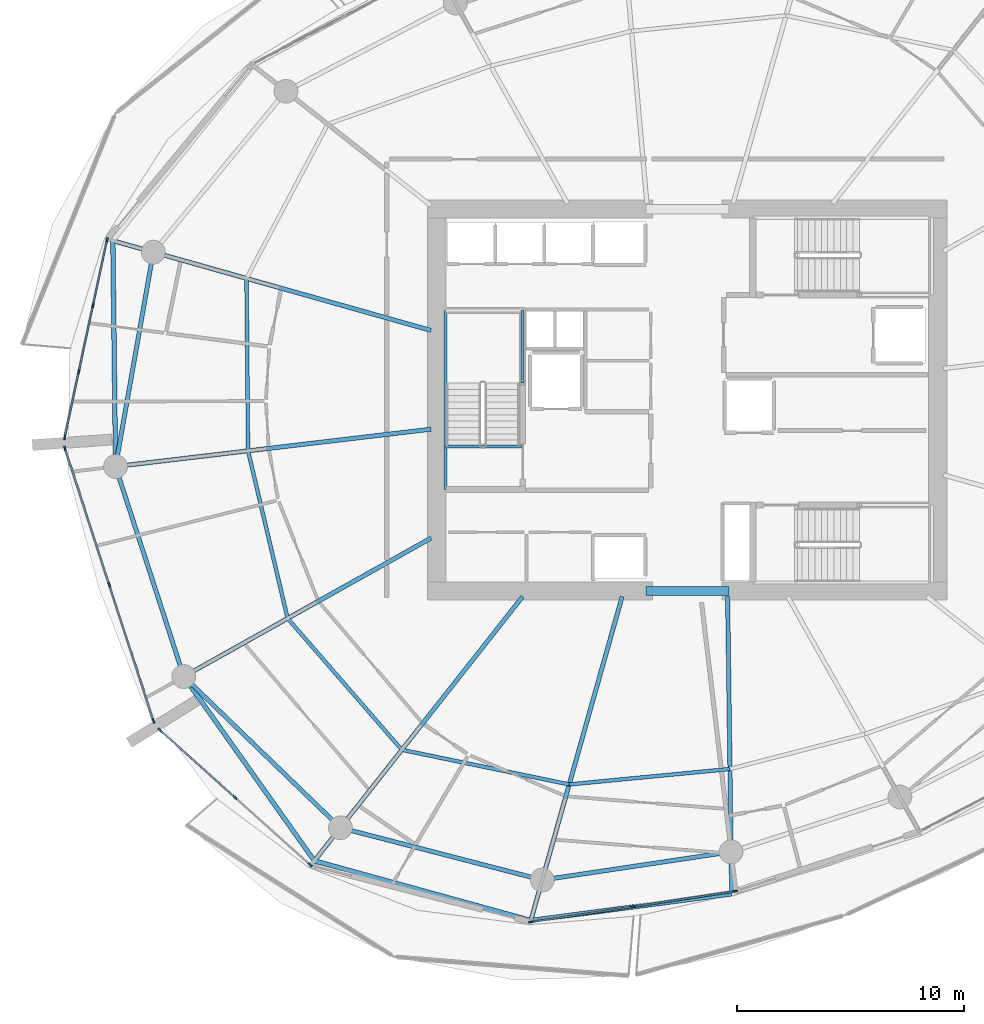
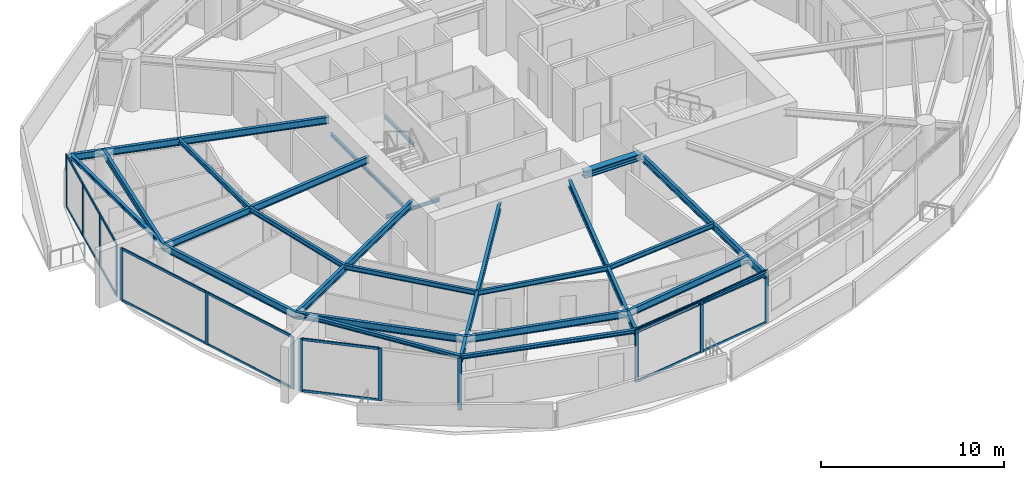
# One storey, part 5 of 20: 29 members, 24 beams, 4 elements without a shape of their own.
"""IFC4 building model written with IfcOpenShell, lengths in metres."""

from ifc_helpers import new_model, si_unit, direction, frame, origin, origin_2d, place, context, subcontext, project, spatial, rectangle, i_section, extrude, material, layer, layer_set, material_profile, profile_set, type_object, element, aggregate, save


model = new_model("IFC4")

# Units and contexts
model_context = context("Model", 3, precision=1e-05, world=origin(), true_north=direction((0.0, 1.0)))
body_context = subcontext(model_context, "Body", "Model", "MODEL_VIEW")
ifc_project = project(units=[si_unit("LENGTHUNIT", "METRE"), si_unit("AREAUNIT", "SQUARE_METRE"), si_unit("VOLUMEUNIT", "CUBIC_METRE"), si_unit("PLANEANGLEUNIT", "RADIAN"), si_unit("MASSUNIT", "GRAM", prefix="KILO")], contexts=[model_context])

# Site, building, storey
site_placement = place(None, origin())
site = spatial("IfcSite", under=ifc_project, at=site_placement, CompositionType="ELEMENT")
building_placement = place(site_placement, origin())
building = spatial("IfcBuilding", under=site, at=building_placement, Name="Kazma Halo Residences", CompositionType="ELEMENT")
storey_placement = place(building_placement, frame((0.0, 0.0, 142.800048828125)))
storey = spatial("IfcBuildingStorey", under=building, at=storey_placement, Name="L35", CompositionType="ELEMENT", Elevation=142.800048828125)

# Beams
ifc_material_1 = material(Name="Steel S355", Category="steel")
ifc_material_profile_1 = material_profile(ifc_material_1, i_section(OverallWidth=0.201904296875, OverallDepth=0.2470703125, WebThickness=0.00732421875, FlangeThickness=0.010986328125, FilletRadius=0.011962890625, at=origin_2d()), Name="W250x49.1")
ifc_profile_set_1 = profile_set([ifc_material_profile_1], Name="Steel S355")
beam_type_1 = type_object("IfcBeamType", Name="BM-BAL-CANT", PredefinedType="BEAM", material=ifc_profile_set_1)
beam_1_placement = place(storey_placement, frame((23.149658203125, 49.008544921875, 3.37646484375), z_axis=(0.011793371143, -0.99993045578, 0.0), x_axis=(0.99993045578, 0.011793371143, 0.0)))
element("IfcBeam", 1, at=beam_1_placement, inside=storey, type_object=beam_type_1, Name="L35 wave-balcony tie beam 07", PredefinedType="BEAM", context=body_context, shape_type="SweptSolid", body=[
    extrude(i_section(OverallWidth=0.201904296875, OverallDepth=0.2470703125, WebThickness=0.00732421875, FlangeThickness=0.010986328125, FilletRadius=0.011962890625, at=origin_2d()), origin(), (0.0, 0.0, 1.0), 9.936767578125),
])
beam_2_placement = place(storey_placement, frame((26.269775390625, 29.83056640625, 3.37646484375), z_axis=(0.578203432081, -0.81589263456, 0.0), x_axis=(0.81589263456, 0.578203432081, 0.0)))
element("IfcBeam", 2, at=beam_2_placement, inside=storey, type_object=beam_type_1, Name="L35 wave-balcony lead tie beam 09", PredefinedType="BEAM", context=body_context, shape_type="SweptSolid", body=[
    extrude(i_section(OverallWidth=0.201904296875, OverallDepth=0.2470703125, WebThickness=0.00732421875, FlangeThickness=0.010986328125, FilletRadius=0.011962890625, at=origin_2d()), origin(), (0.0, 0.0, 1.0), 9.9365234375),
])
beam_3_placement = place(storey_placement, frame((32.01513671875, 21.723388671875, 3.37646484375), z_axis=(0.964045237638, -0.265738179019, 0.0), x_axis=(0.265738179019, 0.964045237638, 0.0)))
element("IfcBeam", 3, at=beam_3_placement, inside=storey, type_object=beam_type_1, Name="L35 wave-balcony tie beam 10", PredefinedType="BEAM", context=body_context, shape_type="SweptSolid", body=[
    extrude(i_section(OverallWidth=0.201904296875, OverallDepth=0.2470703125, WebThickness=0.00732421875, FlangeThickness=0.010986328125, FilletRadius=0.011962890625, at=origin_2d()), origin(), (0.0, 0.0, 1.0), 9.880859375),
])
beam_4_placement = place(storey_placement, frame((41.540771484375, 19.09765625, 3.37646484375), z_axis=(0.991326402839, 0.13142284061, 0.0), x_axis=(-0.13142284061, 0.991326402839, 0.0)))
element("IfcBeam", 4, at=beam_4_placement, inside=storey, type_object=beam_type_1, Name="L35 wave-balcony tie beam 11", PredefinedType="BEAM", context=body_context, shape_type="SweptSolid", body=[
    extrude(i_section(OverallWidth=0.201904296875, OverallDepth=0.2470703125, WebThickness=0.00732421875, FlangeThickness=0.010986328125, FilletRadius=0.011962890625, at=origin_2d()), origin(), (0.0, 0.0, 1.0), 8.9150390625),
])
ifc_material_profile_2 = material_profile(ifc_material_1, i_section(OverallWidth=0.408935546875, OverallDepth=0.425048828125, WebThickness=0.03271484375, FlangeThickness=0.052490234375, FilletRadius=0.02001953125, at=origin_2d()), Name="W360x421")
ifc_profile_set_2 = profile_set([ifc_material_profile_2], Name="Steel S355")
beam_type_2 = type_object("IfcBeamType", Name="BM-CORE-W360H", PredefinedType="BEAM", material=ifc_profile_set_2)
beam_5_placement = place(storey_placement, frame((46.60009765625, 33.60009765625, 3.287353515625), z_axis=(1.0, 0.0, 0.0), x_axis=(0.0, 1.0, 0.0)))
element("IfcBeam", 5, at=beam_5_placement, inside=storey, type_object=beam_type_2, Name="L35 core coupling beam S", PredefinedType="BEAM", context=body_context, shape_type="SweptSolid", body=[
    extrude(i_section(OverallWidth=0.408935546875, OverallDepth=0.425048828125, WebThickness=0.03271484375, FlangeThickness=0.052490234375, FilletRadius=0.02001953125, at=origin_2d()), origin(), (0.0, 0.0, 1.0), 3.64990234375),
])
ifc_material_profile_3 = material_profile(ifc_material_1, i_section(OverallWidth=0.18994140625, OverallDepth=0.45703125, WebThickness=0.009033203125, FlangeThickness=0.014404296875, FilletRadius=0.01611328125, at=origin_2d()), Name="W460x74")
ifc_profile_set_3 = profile_set([ifc_material_profile_3], Name="Steel S355")
beam_type_3 = type_object("IfcBeamType", Name="BM-RAD-W460", PredefinedType="BEAM", material=ifc_profile_set_3)
beam_6_placement = place(storey_placement, frame((37.14990234375, 45.06005859375, 3.271484375), z_axis=(-0.962455072712, 0.271441030447, 0.0), x_axis=(-0.271441030447, -0.962455072712, 0.0)))
element("IfcBeam", 6, at=beam_6_placement, inside=storey, type_object=beam_type_3, Name="L35 radial floor beam 07", PredefinedType="BEAM", context=body_context, shape_type="SweptSolid", body=[
    extrude(i_section(OverallWidth=0.18994140625, OverallDepth=0.45703125, WebThickness=0.009033203125, FlangeThickness=0.014404296875, FilletRadius=0.01611328125, at=origin_2d()), origin(), (0.0, 0.0, 1.0), 14.54638671875),
])
beam_7_placement = place(storey_placement, frame((37.14990234375, 40.7158203125, 3.271484375), z_axis=(-0.993067267044, -0.117547450531, 0.0), x_axis=(0.117547450531, -0.993067267044, 0.0)))
element("IfcBeam", 7, at=beam_7_placement, inside=storey, type_object=beam_type_3, Name="L35 radial floor beam 08", PredefinedType="BEAM", context=body_context, shape_type="SweptSolid", body=[
    extrude(i_section(OverallWidth=0.18994140625, OverallDepth=0.45703125, WebThickness=0.009033203125, FlangeThickness=0.014404296875, FilletRadius=0.01611328125, at=origin_2d()), origin(), (0.0, 0.0, 1.0), 13.97998046875),
])
beam_8_placement = place(storey_placement, frame((37.14990234375, 35.923583984375, 3.271484375), z_axis=(-0.87250100809, -0.488612311431, 0.0), x_axis=(0.488612311431, -0.87250100809, 0.0)))
element("IfcBeam", 8, at=beam_8_placement, inside=storey, type_object=beam_type_3, Name="L35 radial floor beam 09", PredefinedType="BEAM", context=body_context, shape_type="SweptSolid", body=[
    extrude(i_section(OverallWidth=0.18994140625, OverallDepth=0.45703125, WebThickness=0.009033203125, FlangeThickness=0.014404296875, FilletRadius=0.01611328125, at=origin_2d()), origin(), (0.0, 0.0, 1.0), 12.469970703125),
])
beam_9_placement = place(storey_placement, frame((41.180908203125, 33.35009765625, 3.271484375), z_axis=(-0.619094498239, -0.785316498139, 0.0), x_axis=(0.785316498139, -0.619094498239, 0.0)))
element("IfcBeam", 9, at=beam_9_placement, inside=storey, type_object=beam_type_3, Name="L35 radial floor beam 10", PredefinedType="BEAM", context=body_context, shape_type="SweptSolid", body=[
    extrude(i_section(OverallWidth=0.18994140625, OverallDepth=0.45703125, WebThickness=0.009033203125, FlangeThickness=0.014404296875, FilletRadius=0.01611328125, at=origin_2d()), origin(), (0.0, 0.0, 1.0), 14.80517578125),
])
beam_10_placement = place(storey_placement, frame((45.560302734375, 33.35009765625, 3.271484375), z_axis=(-0.271435886816, -0.962456523355, 0.0), x_axis=(0.962456523355, -0.271435886816, 0.0)))
element("IfcBeam", 10, at=beam_10_placement, inside=storey, type_object=beam_type_3, Name="L35 radial floor beam 11", PredefinedType="BEAM", context=body_context, shape_type="SweptSolid", body=[
    extrude(i_section(OverallWidth=0.18994140625, OverallDepth=0.45703125, WebThickness=0.009033203125, FlangeThickness=0.014404296875, FilletRadius=0.01611328125, at=origin_2d()), origin(), (0.0, 0.0, 1.0), 14.808349609375),
])
beam_11_placement = place(storey_placement, frame((50.199951171875, 33.35009765625, 3.271484375), z_axis=(0.013642135434, -0.99990694174, 0.0), x_axis=(0.99990694174, 0.013642135434, 0.0)))
element("IfcBeam", 11, at=beam_11_placement, inside=storey, type_object=beam_type_3, Name="L35 radial floor beam 12", PredefinedType="BEAM", context=body_context, shape_type="SweptSolid", body=[
    extrude(i_section(OverallWidth=0.18994140625, OverallDepth=0.45703125, WebThickness=0.009033203125, FlangeThickness=0.014404296875, FilletRadius=0.01611328125, at=origin_2d()), origin(), (0.0, 0.0, 1.0), 13.08203125),
])
ifc_material_profile_4 = material_profile(ifc_material_1, i_section(OverallWidth=0.1650390625, OverallDepth=0.31005859375, WebThickness=0.005859375, FlangeThickness=0.009765625, FilletRadius=0.011962890625, at=origin_2d()), Name="W310x38.7")
ifc_profile_set_4 = profile_set([ifc_material_profile_4], Name="Steel S355")
beam_type_4 = type_object("IfcBeamType", Name="BM-SEC-W310B", PredefinedType="JOIST", material=ifc_profile_set_4)
beam_12_placement = place(storey_placement, frame((29.02978515625, 47.35009765625, 3.344970703125), z_axis=(0.008944876706, -0.99995999379, 0.0), x_axis=(0.99995999379, 0.008944876706, 0.0)))
element("IfcBeam", 12, at=beam_12_placement, inside=storey, type_object=beam_type_4, Name="L35 circumferential floor joist 07", PredefinedType="JOIST", context=body_context, shape_type="SweptSolid", body=[
    extrude(i_section(OverallWidth=0.1650390625, OverallDepth=0.31005859375, WebThickness=0.005859375, FlangeThickness=0.009765625, FilletRadius=0.011962890625, at=origin_2d()), origin(), (0.0, 0.0, 1.0), 7.587646484375),
])
beam_13_placement = place(storey_placement, frame((29.09765625, 39.7626953125, 3.344970703125), z_axis=(0.229897820601, -0.973214771817, 0.0), x_axis=(0.973214771817, 0.229897820601, 0.0)))
element("IfcBeam", 13, at=beam_13_placement, inside=storey, type_object=beam_type_4, Name="L35 circumferential floor joist 08", PredefinedType="JOIST", context=body_context, shape_type="SweptSolid", body=[
    extrude(i_section(OverallWidth=0.1650390625, OverallDepth=0.31005859375, WebThickness=0.005859375, FlangeThickness=0.009765625, FilletRadius=0.011962890625, at=origin_2d()), origin(), (0.0, 0.0, 1.0), 7.575927734375),
])
beam_14_placement = place(storey_placement, frame((30.83935546875, 32.3896484375, 3.344970703125), z_axis=(0.655935687589, -0.754816781575, 0.0), x_axis=(0.754816781575, 0.655935687589, 0.0)))
element("IfcBeam", 14, at=beam_14_placement, inside=storey, type_object=beam_type_4, Name="L35 circumferential floor joist 09", PredefinedType="JOIST", context=body_context, shape_type="SweptSolid", body=[
    extrude(i_section(OverallWidth=0.1650390625, OverallDepth=0.31005859375, WebThickness=0.005859375, FlangeThickness=0.009765625, FilletRadius=0.011962890625, at=origin_2d()), origin(), (0.0, 0.0, 1.0), 7.661376953125),
])
beam_15_placement = place(storey_placement, frame((35.86474609375, 26.606689453125, 3.344970703125), z_axis=(0.979272189631, -0.202548706773, 0.0), x_axis=(0.202548706773, 0.979272189631, 0.0)))
element("IfcBeam", 15, at=beam_15_placement, inside=storey, type_object=beam_type_4, Name="L35 circumferential floor joist 10", PredefinedType="JOIST", context=body_context, shape_type="SweptSolid", body=[
    extrude(i_section(OverallWidth=0.1650390625, OverallDepth=0.31005859375, WebThickness=0.005859375, FlangeThickness=0.009765625, FilletRadius=0.011962890625, at=origin_2d()), origin(), (0.0, 0.0, 1.0), 7.52001953125),
])
beam_16_placement = place(storey_placement, frame((43.22900390625, 25.08349609375, 3.344970703125), z_axis=(0.995416389983, 0.095635822539, 0.0), x_axis=(-0.095635822539, 0.995416389983, 0.0)))
element("IfcBeam", 16, at=beam_16_placement, inside=storey, type_object=beam_type_4, Name="L35 circumferential floor joist 11", PredefinedType="JOIST", context=body_context, shape_type="SweptSolid", body=[
    extrude(i_section(OverallWidth=0.1650390625, OverallDepth=0.31005859375, WebThickness=0.005859375, FlangeThickness=0.009765625, FilletRadius=0.011962890625, at=origin_2d()), origin(), (0.0, 0.0, 1.0), 7.10693359375),
])
ifc_material_profile_5 = material_profile(ifc_material_1, i_section(OverallWidth=0.18994140625, OverallDepth=0.45703125, WebThickness=0.009033203125, FlangeThickness=0.014404296875, FilletRadius=0.01611328125, at=origin_2d()), Name="W460x74")
ifc_profile_set_5 = profile_set([ifc_material_profile_5], Name="Steel S355")
beam_type_5 = type_object("IfcBeamType", Name="BM-SPN-W460", PredefinedType="BEAM", material=ifc_profile_set_5)
beam_17_placement = place(storey_placement, frame((24.93017578125, 48.50634765625, 3.271484375), z_axis=(-0.173637033425, -0.984809717978, 0.0), x_axis=(0.984809717978, -0.173637033425, 0.0)))
element("IfcBeam", 17, at=beam_17_placement, inside=storey, type_object=beam_type_5, Name="L35 perimeter ring beam 07", PredefinedType="BEAM", context=body_context, shape_type="SweptSolid", body=[
    extrude(i_section(OverallWidth=0.18994140625, OverallDepth=0.45703125, WebThickness=0.009033203125, FlangeThickness=0.014404296875, FilletRadius=0.01611328125, at=origin_2d()), origin(), (0.0, 0.0, 1.0), 9.579345703125),
])
beam_18_placement = place(storey_placement, frame((23.266845703125, 39.072509765625, 3.271484375), z_axis=(0.309020741629, -0.95105529873, 0.0), x_axis=(0.95105529873, 0.309020741629, 0.0)))
element("IfcBeam", 18, at=beam_18_placement, inside=storey, type_object=beam_type_5, Name="L35 perimeter ring beam 08", PredefinedType="BEAM", context=body_context, shape_type="SweptSolid", body=[
    extrude(i_section(OverallWidth=0.18994140625, OverallDepth=0.45703125, WebThickness=0.009033203125, FlangeThickness=0.014404296875, FilletRadius=0.01611328125, at=origin_2d()), origin(), (0.0, 0.0, 1.0), 9.717529296875),
])
beam_19_placement = place(storey_placement, frame((26.269775390625, 29.83056640625, 3.271484375), z_axis=(0.719334705845, -0.694663645923, 0.0), x_axis=(0.694663645923, 0.719334705845, 0.0)))
element("IfcBeam", 19, at=beam_19_placement, inside=storey, type_object=beam_type_5, Name="L35 perimeter ring beam 09", PredefinedType="BEAM", context=body_context, shape_type="SweptSolid", body=[
    extrude(i_section(OverallWidth=0.18994140625, OverallDepth=0.45703125, WebThickness=0.009033203125, FlangeThickness=0.014404296875, FilletRadius=0.01611328125, at=origin_2d()), origin(), (0.0, 0.0, 1.0), 9.5791015625),
])
beam_20_placement = place(storey_placement, frame((33.160400390625, 23.17626953125, 3.271484375), z_axis=(0.968123664213, -0.250472694699, 0.0), x_axis=(0.250472694699, 0.968123664213, 0.0)))
element("IfcBeam", 20, at=beam_20_placement, inside=storey, type_object=beam_type_5, Name="L35 perimeter ring beam 10", PredefinedType="BEAM", context=body_context, shape_type="SweptSolid", body=[
    extrude(i_section(OverallWidth=0.18994140625, OverallDepth=0.45703125, WebThickness=0.009033203125, FlangeThickness=0.014404296875, FilletRadius=0.01611328125, at=origin_2d()), origin(), (0.0, 0.0, 1.0), 9.175048828125),
])
beam_21_placement = place(storey_placement, frame((42.04296875, 20.878173828125, 3.271484375), z_axis=(0.989037147603, 0.147666924735, 0.0), x_axis=(-0.147666924735, 0.989037147603, 0.0)))
element("IfcBeam", 21, at=beam_21_placement, inside=storey, type_object=beam_type_5, Name="L35 perimeter ring beam 11", PredefinedType="BEAM", context=body_context, shape_type="SweptSolid", body=[
    extrude(i_section(OverallWidth=0.18994140625, OverallDepth=0.45703125, WebThickness=0.009033203125, FlangeThickness=0.014404296875, FilletRadius=0.01611328125, at=origin_2d()), origin(), (0.0, 0.0, 1.0), 8.402099609375),
])
ifc_material_profile_6 = material_profile(ifc_material_1, i_section(OverallWidth=0.133056640625, OverallDepth=0.20703125, WebThickness=0.005859375, FlangeThickness=0.00830078125, FilletRadius=0.010009765625, at=origin_2d()), Name="W200x26.6")
ifc_profile_set_6 = profile_set([ifc_material_profile_6], Name="Steel S355")
beam_type_6 = type_object("IfcBeamType", Name="BM-TRIM-W200", PredefinedType="BEAM", material=ifc_profile_set_6)
beam_22_placement = place(storey_placement, frame((37.800048828125, 39.949951171875, -0.360107421875), z_axis=(1.0, 0.0, 0.0), x_axis=(0.0, 1.0, 0.0)))
element("IfcBeam", 22, at=beam_22_placement, inside=storey, type_object=beam_type_6, Name="L35 ST-01 floor landing support beam", PredefinedType="BEAM", context=body_context, shape_type="SweptSolid", body=[
    extrude(i_section(OverallWidth=0.133056640625, OverallDepth=0.20703125, WebThickness=0.005859375, FlangeThickness=0.00830078125, FilletRadius=0.010009765625, at=origin_2d()), origin(), (0.0, 0.0, 1.0), 3.3798828125),
])
beam_23_placement = place(storey_placement, frame((37.780029296875, 38.06005859375, 1.570068359375), z_axis=(0.0, 1.0, 0.0), x_axis=(-1.0, 0.0, 0.0)))
element("IfcBeam", 23, at=beam_23_placement, inside=storey, type_object=beam_type_6, Name="L35 ST-01 landing west wall ledger", PredefinedType="BEAM", context=body_context, shape_type="SweptSolid", body=[
    extrude(i_section(OverallWidth=0.133056640625, OverallDepth=0.20703125, WebThickness=0.005859375, FlangeThickness=0.00830078125, FilletRadius=0.010009765625, at=origin_2d()), origin(), (0.0, 0.0, 1.0), 7.8798828125),
])
beam_24_placement = place(storey_placement, frame((41.179931640625, 42.75, 1.570068359375), z_axis=(0.0, 1.0, 0.0), x_axis=(-1.0, 0.0, 0.0)))
element("IfcBeam", 24, at=beam_24_placement, inside=storey, type_object=beam_type_6, Name="L35 ST-01 landing east wall ledger", PredefinedType="BEAM", context=body_context, shape_type="SweptSolid", body=[
    extrude(i_section(OverallWidth=0.133056640625, OverallDepth=0.20703125, WebThickness=0.005859375, FlangeThickness=0.00830078125, FilletRadius=0.010009765625, at=origin_2d()), origin(), (0.0, 0.0, 1.0), 3.18994140625),
])

# Curtain wall, members
ifc_material_2 = material(Name="Aluminium AW-6063 T6 and Triple-Silver Low-E Glass", Category="aluminium")
ifc_layer = layer(ifc_material_2, 0.219970703125)
ifc_layer_set = layer_set([ifc_layer], Name="Aluminium AW-6063 T6 and Triple-Silver Low-E Glass")
curtain_wall_type = type_object("IfcCurtainWallType", Name="CW-SYS-4", PredefinedType="NOTDEFINED", material=ifc_layer_set)
curtain_wall_1_placement = place(storey_placement, origin())
curtain_wall_1 = element("IfcCurtainWall", 25, at=curtain_wall_1_placement, inside=storey, type_object=curtain_wall_type, Name="L35 unitised curtain wall B07", PredefinedType="NOTDEFINED")
ifc_material_3 = material(Name="Aluminium AW-6063 T6", Category="aluminium")
ifc_material_profile_7 = material_profile(ifc_material_3, rectangle(XDim=0.074951171875, YDim=0.219970703125, at=origin_2d()), Name="CWM-75x220")
ifc_profile_set_7 = profile_set([ifc_material_profile_7], Name="Aluminium AW-6063 T6")
member_type_1 = type_object("IfcMemberType", Name="CW-SYS-4-MUL", PredefinedType="MULLION", material=ifc_profile_set_7)
member_1_placement = place(storey_placement, frame((22.894775390625, 49.04150390625, 0.0), z_axis=(0.0, 0.0, 1.0), x_axis=(0.977764957684, -0.209703809037, 0.0)))
member_1 = element("IfcMember", 26, at=member_1_placement, type_object=member_type_1, Name="CWS-4 mullion 1", PredefinedType="MULLION", context=body_context, shape_type="SweptSolid", body=[
    extrude(rectangle(XDim=0.074951171875, YDim=0.219970703125, at=origin_2d()), origin(), (0.0, 0.0, 1.0), 3.5),
])
member_2_placement = place(storey_placement, frame((22.27685546875, 46.160888671875, 0.0), z_axis=(0.0, 0.0, 1.0), x_axis=(0.977764957684, -0.209703809037, 0.0)))
member_2 = element("IfcMember", 27, at=member_2_placement, type_object=member_type_1, Name="CWS-4 mullion 2", PredefinedType="MULLION", context=body_context, shape_type="SweptSolid", body=[
    extrude(rectangle(XDim=0.074951171875, YDim=0.219970703125, at=origin_2d()), origin(), (0.0, 0.0, 1.0), 3.5),
])
member_3_placement = place(storey_placement, frame((21.6513671875, 43.24365234375, 0.0), z_axis=(0.0, 0.0, 1.0), x_axis=(0.977764957684, -0.209703809037, 0.0)))
member_3 = element("IfcMember", 28, at=member_3_placement, type_object=member_type_1, Name="CWS-4 mullion 3", PredefinedType="MULLION", context=body_context, shape_type="SweptSolid", body=[
    extrude(rectangle(XDim=0.074951171875, YDim=0.219970703125, at=origin_2d()), origin(), (0.0, 0.0, 1.0), 3.5),
])
member_4_placement = place(storey_placement, frame((21.033447265625, 40.36328125, 0.0), z_axis=(0.0, 0.0, 1.0), x_axis=(0.977764957684, -0.209703809037, 0.0)))
member_4 = element("IfcMember", 29, at=member_4_placement, type_object=member_type_1, Name="CWS-4 mullion 4", PredefinedType="MULLION", context=body_context, shape_type="SweptSolid", body=[
    extrude(rectangle(XDim=0.074951171875, YDim=0.219970703125, at=origin_2d()), origin(), (0.0, 0.0, 1.0), 3.5),
])

curtain_wall_2_placement = place(storey_placement, origin())
curtain_wall_2 = element("IfcCurtainWall", 30, at=curtain_wall_2_placement, inside=storey, type_object=curtain_wall_type, Name="L35 unitised curtain wall B08", PredefinedType="NOTDEFINED")
member_5_placement = place(storey_placement, frame((21.044189453125, 39.86572265625, 0.0), z_axis=(0.0, 0.0, 1.0), x_axis=(0.951057547609, 0.3090138203, 0.0)))
member_5 = element("IfcMember", 31, at=member_5_placement, type_object=member_type_1, Name="CWS-4 mullion 1", PredefinedType="MULLION", context=body_context, shape_type="SweptSolid", body=[
    extrude(rectangle(XDim=0.074951171875, YDim=0.219970703125, at=origin_2d()), origin(), (0.0, 0.0, 1.0), 3.5),
])
member_6_placement = place(storey_placement, frame((22.990966796875, 33.8740234375, 0.0), z_axis=(0.0, 0.0, 1.0), x_axis=(0.951057547609, 0.3090138203, 0.0)))
member_6 = element("IfcMember", 32, at=member_6_placement, type_object=member_type_1, Name="CWS-4 mullion 2", PredefinedType="MULLION", context=body_context, shape_type="SweptSolid", body=[
    extrude(rectangle(XDim=0.074951171875, YDim=0.219970703125, at=origin_2d()), origin(), (0.0, 0.0, 1.0), 3.5),
])
member_7_placement = place(storey_placement, frame((24.937744140625, 27.882568359375, 0.0), z_axis=(0.0, 0.0, 1.0), x_axis=(0.951057547609, 0.3090138203, 0.0)))
member_7 = element("IfcMember", 33, at=member_7_placement, type_object=member_type_1, Name="CWS-4 mullion 3", PredefinedType="MULLION", context=body_context, shape_type="SweptSolid", body=[
    extrude(rectangle(XDim=0.074951171875, YDim=0.219970703125, at=origin_2d()), origin(), (0.0, 0.0, 1.0), 3.5),
])

curtain_wall_3_placement = place(storey_placement, origin())
curtain_wall_3 = element("IfcCurtainWall", 34, at=curtain_wall_3_placement, inside=storey, type_object=curtain_wall_type, Name="L35 unitised curtain wall B09", PredefinedType="NOTDEFINED")
member_8_placement = place(storey_placement, frame((25.221435546875, 27.4736328125, 0.0), z_axis=(0.0, 0.0, 1.0), x_axis=(0.667770096247, 0.744367582957, 0.0)))
member_8 = element("IfcMember", 35, at=member_8_placement, type_object=member_type_1, Name="CWS-4 mullion 1", PredefinedType="MULLION", context=body_context, shape_type="SweptSolid", body=[
    extrude(rectangle(XDim=0.074951171875, YDim=0.219970703125, at=origin_2d()), origin(), (0.0, 0.0, 1.0), 3.5),
])
member_9_placement = place(storey_placement, frame((28.52490234375, 24.51025390625, 0.0), z_axis=(0.0, 0.0, 1.0), x_axis=(0.667770096247, 0.744367582957, 0.0)))
member_9 = element("IfcMember", 36, at=member_9_placement, type_object=member_type_1, Name="CWS-4 mullion 2", PredefinedType="MULLION", context=body_context, shape_type="SweptSolid", body=[
    extrude(rectangle(XDim=0.074951171875, YDim=0.219970703125, at=origin_2d()), origin(), (0.0, 0.0, 1.0), 3.5),
])
member_10_placement = place(storey_placement, frame((31.828369140625, 21.546630859375, 0.0), z_axis=(0.0, 0.0, 1.0), x_axis=(0.667770096247, 0.744367582957, 0.0)))
member_10 = element("IfcMember", 37, at=member_10_placement, type_object=member_type_1, Name="CWS-4 mullion 3", PredefinedType="MULLION", context=body_context, shape_type="SweptSolid", body=[
    extrude(rectangle(XDim=0.074951171875, YDim=0.219970703125, at=origin_2d()), origin(), (0.0, 0.0, 1.0), 3.5),
])

curtain_wall_4_placement = place(storey_placement, origin())
curtain_wall_4 = element("IfcCurtainWall", 38, at=curtain_wall_4_placement, inside=storey, type_object=curtain_wall_type, Name="L35 unitised curtain wall B11", PredefinedType="NOTDEFINED")
member_11_placement = place(storey_placement, frame((41.559326171875, 19.037109375, 0.0), z_axis=(0.0, 0.0, 1.0), x_axis=(-0.148821022686, 0.988864148004, 0.0)))
member_11 = element("IfcMember", 39, at=member_11_placement, type_object=member_type_1, Name="CWS-4 mullion 1", PredefinedType="MULLION", context=body_context, shape_type="SweptSolid", body=[
    extrude(rectangle(XDim=0.074951171875, YDim=0.219970703125, at=origin_2d()), origin(), (0.0, 0.0, 1.0), 3.5),
])
member_12_placement = place(storey_placement, frame((46.039794921875, 19.71142578125, 0.0), z_axis=(0.0, 0.0, 1.0), x_axis=(-0.148821022686, 0.988864148004, 0.0)))
member_12 = element("IfcMember", 40, at=member_12_placement, type_object=member_type_1, Name="CWS-4 mullion 2", PredefinedType="MULLION", context=body_context, shape_type="SweptSolid", body=[
    extrude(rectangle(XDim=0.074951171875, YDim=0.219970703125, at=origin_2d()), origin(), (0.0, 0.0, 1.0), 3.5),
])
member_13_placement = place(storey_placement, frame((50.5205078125, 20.3857421875, 0.0), z_axis=(0.0, 0.0, 1.0), x_axis=(-0.148821022686, 0.988864148004, 0.0)))
member_13 = element("IfcMember", 41, at=member_13_placement, type_object=member_type_1, Name="CWS-4 mullion 3", PredefinedType="MULLION", context=body_context, shape_type="SweptSolid", body=[
    extrude(rectangle(XDim=0.074951171875, YDim=0.219970703125, at=origin_2d()), origin(), (0.0, 0.0, 1.0), 3.5),
])

# Member
ifc_material_profile_8 = material_profile(ifc_material_3, rectangle(XDim=0.074951171875, YDim=0.1650390625, at=origin_2d()), Name="CWT-75x165")
ifc_profile_set_8 = profile_set([ifc_material_profile_8], Name="Aluminium AW-6063 T6")
member_type_2 = type_object("IfcMemberType", Name="CW-SYS-4-TRN", PredefinedType="USERDEFINED", material=ifc_profile_set_8)
member_14_placement = place(storey_placement, frame((22.886962890625, 49.0048828125, 0.037353515625), z_axis=(-0.209703309269, -0.977765064871, 0.0), x_axis=(0.977765064871, -0.209703309269, 0.0)))
member_14 = element("IfcMember", 42, at=member_14_placement, type_object=member_type_2, Name="CWS-4 transom 1.1", ObjectType="TRANSOM", PredefinedType="USERDEFINED", context=body_context, shape_type="SweptSolid", body=[
    extrude(rectangle(XDim=0.074951171875, YDim=0.1650390625, at=origin_2d()), origin(), (0.0, 0.0, 1.0), 2.870849609375),
])

member_15_placement = place(storey_placement, frame((22.886962890625, 49.0048828125, 3.46240234375), z_axis=(-0.209703309269, -0.977765064871, 0.0), x_axis=(0.977765064871, -0.209703309269, 0.0)))
member_15 = element("IfcMember", 43, at=member_15_placement, type_object=member_type_2, Name="CWS-4 transom 1.2", ObjectType="TRANSOM", PredefinedType="USERDEFINED", context=body_context, shape_type="SweptSolid", body=[
    extrude(rectangle(XDim=0.074951171875, YDim=0.1650390625, at=origin_2d()), origin(), (0.0, 0.0, 1.0), 2.870849609375),
])

member_16_placement = place(storey_placement, frame((22.26904296875, 46.124267578125, 0.037353515625), z_axis=(-0.209689601293, -0.977768004748, 0.0), x_axis=(0.977768004748, -0.209689601293, 0.0)))
member_16 = element("IfcMember", 44, at=member_16_placement, type_object=member_type_2, Name="CWS-4 transom 2.1", ObjectType="TRANSOM", PredefinedType="USERDEFINED", context=body_context, shape_type="SweptSolid", body=[
    extrude(rectangle(XDim=0.074951171875, YDim=0.1650390625, at=origin_2d()), origin(), (0.0, 0.0, 1.0), 2.908447265625),
])

member_17_placement = place(storey_placement, frame((22.26904296875, 46.124267578125, 3.46240234375), z_axis=(-0.209689601293, -0.977768004748, 0.0), x_axis=(0.977768004748, -0.209689601293, 0.0)))
member_17 = element("IfcMember", 45, at=member_17_placement, type_object=member_type_2, Name="CWS-4 transom 2.2", ObjectType="TRANSOM", PredefinedType="USERDEFINED", context=body_context, shape_type="SweptSolid", body=[
    extrude(rectangle(XDim=0.074951171875, YDim=0.1650390625, at=origin_2d()), origin(), (0.0, 0.0, 1.0), 2.908447265625),
])

member_18_placement = place(storey_placement, frame((21.643310546875, 43.20703125, 0.037353515625), z_axis=(-0.209703309269, -0.977765064871, 0.0), x_axis=(0.977765064871, -0.209703309269, 0.0)))
member_18 = element("IfcMember", 46, at=member_18_placement, type_object=member_type_2, Name="CWS-4 transom 3.1", ObjectType="TRANSOM", PredefinedType="USERDEFINED", context=body_context, shape_type="SweptSolid", body=[
    extrude(rectangle(XDim=0.074951171875, YDim=0.1650390625, at=origin_2d()), origin(), (0.0, 0.0, 1.0), 2.870849609375),
])

member_19_placement = place(storey_placement, frame((21.643310546875, 43.20703125, 3.46240234375), z_axis=(-0.209703309269, -0.977765064871, 0.0), x_axis=(0.977765064871, -0.209703309269, 0.0)))
member_19 = element("IfcMember", 47, at=member_19_placement, type_object=member_type_2, Name="CWS-4 transom 3.2", ObjectType="TRANSOM", PredefinedType="USERDEFINED", context=body_context, shape_type="SweptSolid", body=[
    extrude(rectangle(XDim=0.074951171875, YDim=0.1650390625, at=origin_2d()), origin(), (0.0, 0.0, 1.0), 2.870849609375),
])

aggregate(curtain_wall_1, [member_1, member_2, member_3, member_4, member_14, member_15, member_16, member_17, member_18, member_19])

member_20_placement = place(storey_placement, frame((21.0556640625, 39.830078125, 0.037353515625), z_axis=(0.309006258762, -0.95106000444, 0.0), x_axis=(0.95106000444, 0.309006258762, 0.0)))
member_20 = element("IfcMember", 48, at=member_20_placement, type_object=member_type_2, Name="CWS-4 transom 1.1", ObjectType="TRANSOM", PredefinedType="USERDEFINED", context=body_context, shape_type="SweptSolid", body=[
    extrude(rectangle(XDim=0.074951171875, YDim=0.1650390625, at=origin_2d()), origin(), (0.0, 0.0, 1.0), 6.22509765625),
])

member_21_placement = place(storey_placement, frame((21.0556640625, 39.830078125, 3.46240234375), z_axis=(0.309006258762, -0.95106000444, 0.0), x_axis=(0.95106000444, 0.309006258762, 0.0)))
member_21 = element("IfcMember", 49, at=member_21_placement, type_object=member_type_2, Name="CWS-4 transom 1.2", ObjectType="TRANSOM", PredefinedType="USERDEFINED", context=body_context, shape_type="SweptSolid", body=[
    extrude(rectangle(XDim=0.074951171875, YDim=0.1650390625, at=origin_2d()), origin(), (0.0, 0.0, 1.0), 6.22509765625),
])

member_22_placement = place(storey_placement, frame((23.00244140625, 33.83837890625, 0.037353515625), z_axis=(0.309017784977, -0.951056259413, 0.0), x_axis=(0.951056259413, 0.309017784977, 0.0)))
member_22 = element("IfcMember", 50, at=member_22_placement, type_object=member_type_2, Name="CWS-4 transom 2.1", ObjectType="TRANSOM", PredefinedType="USERDEFINED", context=body_context, shape_type="SweptSolid", body=[
    extrude(rectangle(XDim=0.074951171875, YDim=0.1650390625, at=origin_2d()), origin(), (0.0, 0.0, 1.0), 6.224853515625),
])

member_23_placement = place(storey_placement, frame((23.00244140625, 33.83837890625, 3.46240234375), z_axis=(0.309017784977, -0.951056259413, 0.0), x_axis=(0.951056259413, 0.309017784977, 0.0)))
member_23 = element("IfcMember", 51, at=member_23_placement, type_object=member_type_2, Name="CWS-4 transom 2.2", ObjectType="TRANSOM", PredefinedType="USERDEFINED", context=body_context, shape_type="SweptSolid", body=[
    extrude(rectangle(XDim=0.074951171875, YDim=0.1650390625, at=origin_2d()), origin(), (0.0, 0.0, 1.0), 6.224853515625),
])

aggregate(curtain_wall_2, [member_5, member_6, member_7, member_20, member_21, member_22, member_23])

member_24_placement = place(storey_placement, frame((25.24951171875, 27.44873046875, 0.037353515625), z_axis=(0.744344978888, -0.66779529229, 0.0), x_axis=(0.66779529229, 0.744344978888, 0.0)))
member_24 = element("IfcMember", 52, at=member_24_placement, type_object=member_type_2, Name="CWS-4 transom 1.1", ObjectType="TRANSOM", PredefinedType="USERDEFINED", context=body_context, shape_type="SweptSolid", body=[
    extrude(rectangle(XDim=0.074951171875, YDim=0.1650390625, at=origin_2d()), origin(), (0.0, 0.0, 1.0), 4.363037109375),
])

member_25_placement = place(storey_placement, frame((25.24951171875, 27.44873046875, 3.46240234375), z_axis=(0.744344978888, -0.66779529229, 0.0), x_axis=(0.66779529229, 0.744344978888, 0.0)))
member_25 = element("IfcMember", 53, at=member_25_placement, type_object=member_type_2, Name="CWS-4 transom 1.2", ObjectType="TRANSOM", PredefinedType="USERDEFINED", context=body_context, shape_type="SweptSolid", body=[
    extrude(rectangle(XDim=0.074951171875, YDim=0.1650390625, at=origin_2d()), origin(), (0.0, 0.0, 1.0), 4.363037109375),
])

aggregate(curtain_wall_3, [member_8, member_9, member_10, member_24, member_25])

member_26_placement = place(storey_placement, frame((41.596435546875, 19.042724609375, 0.037353515625), z_axis=(0.988866721231, 0.148803923478, 0.0), x_axis=(-0.148803923478, 0.988866721231, 0.0)))
member_26 = element("IfcMember", 54, at=member_26_placement, type_object=member_type_2, Name="CWS-4 transom 1.1", ObjectType="TRANSOM", PredefinedType="USERDEFINED", context=body_context, shape_type="SweptSolid", body=[
    extrude(rectangle(XDim=0.074951171875, YDim=0.1650390625, at=origin_2d()), origin(), (0.0, 0.0, 1.0), 4.4560546875),
])

member_27_placement = place(storey_placement, frame((41.596435546875, 19.042724609375, 3.46240234375), z_axis=(0.988866721231, 0.148803923478, 0.0), x_axis=(-0.148803923478, 0.988866721231, 0.0)))
member_27 = element("IfcMember", 55, at=member_27_placement, type_object=member_type_2, Name="CWS-4 transom 1.2", ObjectType="TRANSOM", PredefinedType="USERDEFINED", context=body_context, shape_type="SweptSolid", body=[
    extrude(rectangle(XDim=0.074951171875, YDim=0.1650390625, at=origin_2d()), origin(), (0.0, 0.0, 1.0), 4.4560546875),
])

member_28_placement = place(storey_placement, frame((46.076904296875, 19.717041015625, 0.037353515625), z_axis=(0.988866721231, 0.148803923478, 0.0), x_axis=(-0.148803923478, 0.988866721231, 0.0)))
member_28 = element("IfcMember", 56, at=member_28_placement, type_object=member_type_2, Name="CWS-4 transom 2.1", ObjectType="TRANSOM", PredefinedType="USERDEFINED", context=body_context, shape_type="SweptSolid", body=[
    extrude(rectangle(XDim=0.074951171875, YDim=0.1650390625, at=origin_2d()), origin(), (0.0, 0.0, 1.0), 4.4560546875),
])

member_29_placement = place(storey_placement, frame((46.076904296875, 19.717041015625, 3.46240234375), z_axis=(0.988866721231, 0.148803923478, 0.0), x_axis=(-0.148803923478, 0.988866721231, 0.0)))
member_29 = element("IfcMember", 57, at=member_29_placement, type_object=member_type_2, Name="CWS-4 transom 2.2", ObjectType="TRANSOM", PredefinedType="USERDEFINED", context=body_context, shape_type="SweptSolid", body=[
    extrude(rectangle(XDim=0.074951171875, YDim=0.1650390625, at=origin_2d()), origin(), (0.0, 0.0, 1.0), 4.4560546875),
])

aggregate(curtain_wall_4, [member_11, member_12, member_13, member_26, member_27, member_28, member_29])

save(model, "model.ifc")
